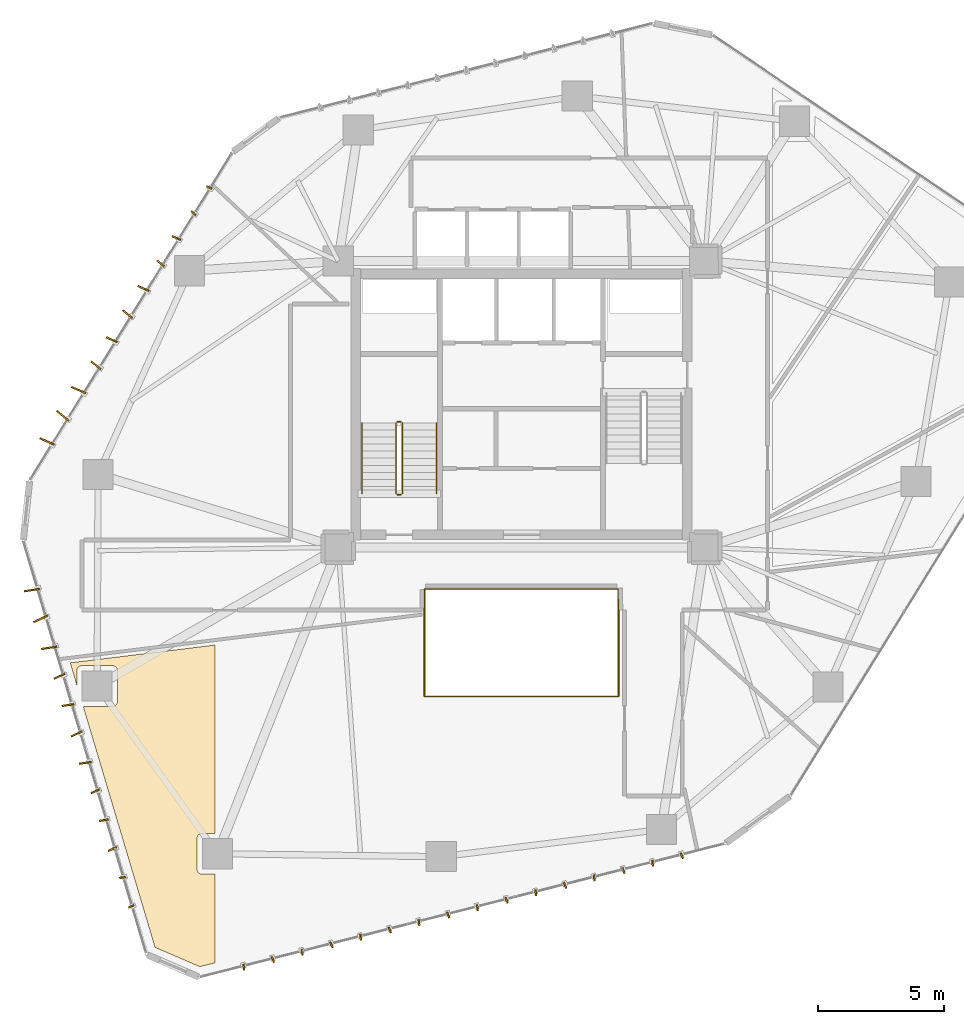
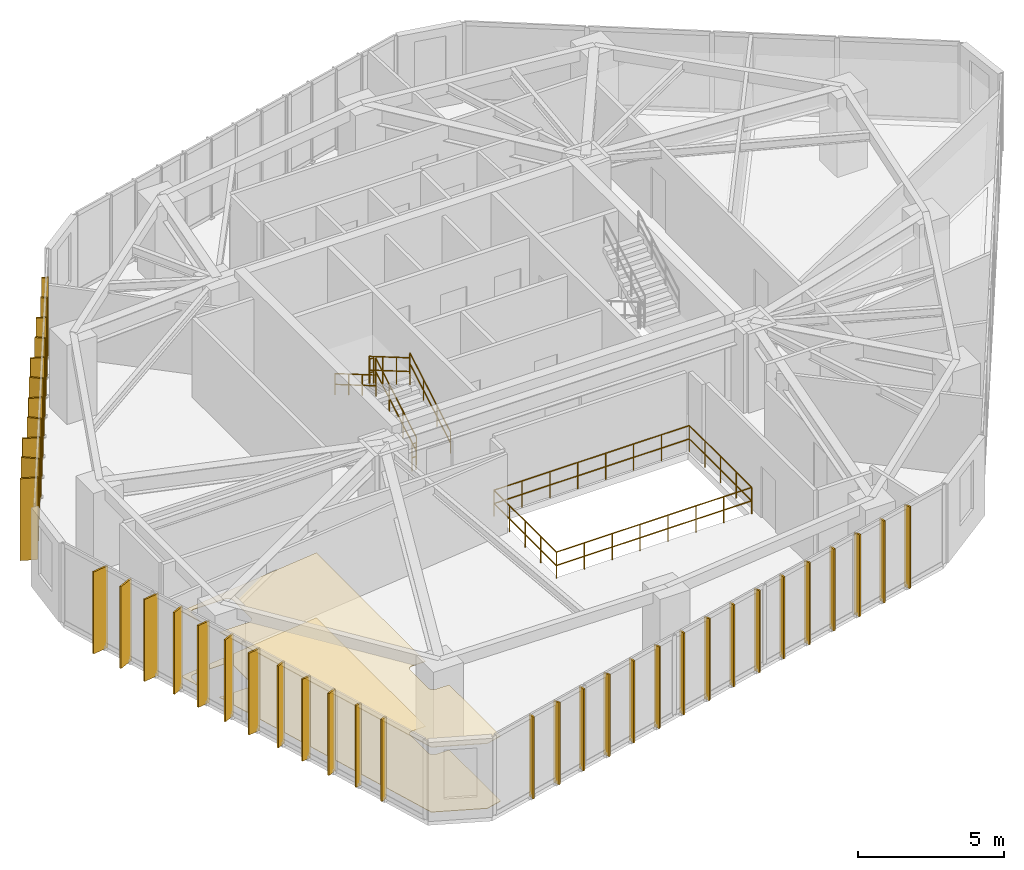
# One storey, part 19 of 20: 39 shading devices, 10 railings, 2 coverings.
"""IFC4 building model written with IfcOpenShell, lengths in metres."""

from ifc_helpers import new_model, si_unit, direction, frame, origin, origin_2d, place, context, subcontext, project, spatial, polyline, rectangle, circle, outline, extrude, source, transform, mapped, material, layer, layer_set, type_object, type_shapes, element, save


model = new_model("IFC4")

# Units and contexts
model_context = context("Model", 3, precision=1e-05, world=origin(), true_north=direction((0.0, 1.0)))
body_context = subcontext(model_context, "Body", "Model", "MODEL_VIEW")
ifc_project = project(units=[si_unit("LENGTHUNIT", "METRE"), si_unit("AREAUNIT", "SQUARE_METRE"), si_unit("VOLUMEUNIT", "CUBIC_METRE"), si_unit("PLANEANGLEUNIT", "RADIAN"), si_unit("MASSUNIT", "GRAM", prefix="KILO")], contexts=[model_context])

# Site, building, storey
site_placement = place(None, origin())
site = spatial("IfcSite", under=ifc_project, at=site_placement, CompositionType="ELEMENT")
building_placement = place(site_placement, origin())
building = spatial("IfcBuilding", under=site, at=building_placement, Name="Talar Marvaseh", CompositionType="ELEMENT")
storey_placement = place(building_placement, frame((0.0, 0.0, 132.60009765625)))
storey = spatial("IfcBuildingStorey", under=building, at=storey_placement, Name="L34", CompositionType="ELEMENT", Elevation=132.60009765625)

# Railings
ifc_material_1 = material(Name="Stainless Steel Grade 316", Category="steel")
railing_type_1 = type_object("IfcRailingType", Name="Brushed Stainless Wall Pitch Handrail 900", PredefinedType="HANDRAIL", material=ifc_material_1)
railing_1_placement = place(storey_placement, frame((22.610107421875, 27.64990234375, 0.16357421875)))
element("IfcRailing", 1, at=railing_1_placement, inside=storey, type_object=railing_type_1, Name="L34 ST-1 stair handrail 1", PredefinedType="HANDRAIL", context=body_context, shape_type="SweptSolid", body=[
    extrude(circle(Radius=0.02392578125, at=origin_2d()), frame((0.0, 0.0, 0.8759765625), z_axis=(0.0, 0.863393664356, 0.504530851732), x_axis=(-1.0, 0.0, 0.0)), (0.0, 0.0, 1.0), 3.2431640625),
    extrude(circle(Radius=0.02392578125, at=origin_2d()), frame((0.0, 0.0, 0.42578125), z_axis=(0.0, 0.863393664356, 0.504530851732), x_axis=(-1.0, 0.0, 0.0)), (0.0, 0.0, 1.0), 3.2431640625),
    extrude(circle(Radius=0.02099609375, at=origin_2d()), origin(), (0.0, 0.0, 1.0), 0.851806640625),
    extrude(circle(Radius=0.02099609375, at=origin_2d()), frame((0.0, 0.933349609375, 0.54541015625)), (0.0, 0.0, 1.0), 0.851806640625),
    extrude(circle(Radius=0.02099609375, at=origin_2d()), frame((0.0, 1.86669921875, 1.0908203125)), (0.0, 0.0, 1.0), 0.851806640625),
    extrude(circle(Radius=0.02099609375, at=origin_2d()), frame((0.0, 2.800048828125, 1.63623046875)), (0.0, 0.0, 1.0), 0.851806640625),
])
railing_2_placement = place(storey_placement, frame((19.64990234375, 30.449951171875, 1.963623046875)))
element("IfcRailing", 2, at=railing_2_placement, inside=storey, type_object=railing_type_1, Name="L34 ST-1 stair handrail 2", PredefinedType="HANDRAIL", context=body_context, shape_type="SweptSolid", body=[
    extrude(circle(Radius=0.02392578125, at=origin_2d()), frame((0.0, 0.0, 0.8759765625), z_axis=(0.0, -0.863393664356, 0.504530851732), x_axis=(1.0, 0.0, 0.0)), (0.0, 0.0, 1.0), 3.2431640625),
    extrude(circle(Radius=0.02392578125, at=origin_2d()), frame((0.0, 0.0, 0.42578125), z_axis=(0.0, -0.863393664356, 0.504530851732), x_axis=(1.0, 0.0, 0.0)), (0.0, 0.0, 1.0), 3.2431640625),
    extrude(circle(Radius=0.02099609375, at=origin_2d()), origin(), (0.0, 0.0, 1.0), 0.851806640625),
    extrude(circle(Radius=0.02099609375, at=origin_2d()), frame((0.0, -0.933349609375, 0.54541015625)), (0.0, 0.0, 1.0), 0.851806640625),
    extrude(circle(Radius=0.02099609375, at=origin_2d()), frame((0.0, -1.86669921875, 1.0908203125)), (0.0, 0.0, 1.0), 0.851806640625),
    extrude(circle(Radius=0.02099609375, at=origin_2d()), frame((0.0, -2.800048828125, 1.63623046875)), (0.0, 0.0, 1.0), 0.851806640625),
])
ifc_material_2 = material(Name="Tempered Clear Glass", Category="glass")
railing_type_2 = type_object("IfcRailingType", Name="Interior Atrium Edge Balustrade 1120", PredefinedType="BALUSTRADE", material=ifc_material_2)
railing_3_placement = place(storey_placement, frame((22.1298828125, 19.561279296875, 0.0)))
element("IfcRailing", 3, at=railing_3_placement, inside=storey, type_object=railing_type_2, Name="L34 Internal Daylight Atrium Balustrade 1", PredefinedType="BALUSTRADE", context=body_context, shape_type="SweptSolid", body=[
    extrude(circle(Radius=0.02392578125, at=origin_2d()), frame((0.0, 0.0, 1.09619140625), z_axis=(1.0, 0.0, 0.0), x_axis=(0.0, 1.0, 0.0)), (0.0, 0.0, 1.0), 7.740234375),
    extrude(circle(Radius=0.02392578125, at=origin_2d()), frame((0.0, 0.0, 0.5361328125), z_axis=(1.0, 0.0, 0.0), x_axis=(0.0, 1.0, 0.0)), (0.0, 0.0, 1.0), 7.740234375),
    extrude(circle(Radius=0.02099609375, at=origin_2d()), origin(), (0.0, 0.0, 1.0), 1.072021484375),
    extrude(circle(Radius=0.02099609375, at=origin_2d()), frame((1.105712890625, 0.0, 0.0)), (0.0, 0.0, 1.0), 1.072021484375),
    extrude(circle(Radius=0.02099609375, at=origin_2d()), frame((2.21142578125, 0.0, 0.0)), (0.0, 0.0, 1.0), 1.072021484375),
    extrude(circle(Radius=0.02099609375, at=origin_2d()), frame((3.317138671875, 0.0, 0.0)), (0.0, 0.0, 1.0), 1.072021484375),
    extrude(circle(Radius=0.02099609375, at=origin_2d()), frame((4.423095703125, 0.0, 0.0)), (0.0, 0.0, 1.0), 1.072021484375),
    extrude(circle(Radius=0.02099609375, at=origin_2d()), frame((5.52880859375, 0.0, 0.0)), (0.0, 0.0, 1.0), 1.072021484375),
    extrude(circle(Radius=0.02099609375, at=origin_2d()), frame((6.634521484375, 0.0, 0.0)), (0.0, 0.0, 1.0), 1.072021484375),
    extrude(circle(Radius=0.02099609375, at=origin_2d()), frame((7.740234375, 0.0, 0.0)), (0.0, 0.0, 1.0), 1.072021484375),
])
railing_4_placement = place(storey_placement, frame((29.8701171875, 19.561279296875, 0.0)))
element("IfcRailing", 4, at=railing_4_placement, inside=storey, type_object=railing_type_2, Name="L34 Internal Daylight Atrium Balustrade 2", PredefinedType="BALUSTRADE", context=body_context, shape_type="SweptSolid", body=[
    extrude(circle(Radius=0.02392578125, at=origin_2d()), frame((0.0, 0.0, 1.09619140625), z_axis=(0.0, 1.0, 0.0), x_axis=(-1.0, 0.0, 0.0)), (0.0, 0.0, 1.0), 4.27734375),
    extrude(circle(Radius=0.02392578125, at=origin_2d()), frame((0.0, 0.0, 0.5361328125), z_axis=(0.0, 1.0, 0.0), x_axis=(-1.0, 0.0, 0.0)), (0.0, 0.0, 1.0), 4.27734375),
    extrude(circle(Radius=0.02099609375, at=origin_2d()), origin(), (0.0, 0.0, 1.0), 1.072021484375),
    extrude(circle(Radius=0.02099609375, at=origin_2d()), frame((0.0, 1.0693359375, 0.0)), (0.0, 0.0, 1.0), 1.072021484375),
    extrude(circle(Radius=0.02099609375, at=origin_2d()), frame((0.0, 2.138671875, 0.0)), (0.0, 0.0, 1.0), 1.072021484375),
    extrude(circle(Radius=0.02099609375, at=origin_2d()), frame((0.0, 3.2080078125, 0.0)), (0.0, 0.0, 1.0), 1.072021484375),
    extrude(circle(Radius=0.02099609375, at=origin_2d()), frame((0.0, 4.27734375, 0.0)), (0.0, 0.0, 1.0), 1.072021484375),
])
railing_5_placement = place(storey_placement, frame((29.8701171875, 23.838623046875, 0.0)))
element("IfcRailing", 5, at=railing_5_placement, inside=storey, type_object=railing_type_2, Name="L34 Internal Daylight Atrium Balustrade 3", PredefinedType="BALUSTRADE", context=body_context, shape_type="SweptSolid", body=[
    extrude(circle(Radius=0.02392578125, at=origin_2d()), frame((0.0, 0.0, 1.09619140625), z_axis=(-1.0, 0.0, 0.0), x_axis=(0.0, -1.0, 0.0)), (0.0, 0.0, 1.0), 7.740234375),
    extrude(circle(Radius=0.02392578125, at=origin_2d()), frame((0.0, 0.0, 0.5361328125), z_axis=(-1.0, 0.0, 0.0), x_axis=(0.0, -1.0, 0.0)), (0.0, 0.0, 1.0), 7.740234375),
    extrude(circle(Radius=0.02099609375, at=origin_2d()), origin(), (0.0, 0.0, 1.0), 1.072021484375),
    extrude(circle(Radius=0.02099609375, at=origin_2d()), frame((-1.105712890625, 0.0, 0.0)), (0.0, 0.0, 1.0), 1.072021484375),
    extrude(circle(Radius=0.02099609375, at=origin_2d()), frame((-2.21142578125, 0.0, 0.0)), (0.0, 0.0, 1.0), 1.072021484375),
    extrude(circle(Radius=0.02099609375, at=origin_2d()), frame((-3.317138671875, 0.0, 0.0)), (0.0, 0.0, 1.0), 1.072021484375),
    extrude(circle(Radius=0.02099609375, at=origin_2d()), frame((-4.423095703125, 0.0, 0.0)), (0.0, 0.0, 1.0), 1.072021484375),
    extrude(circle(Radius=0.02099609375, at=origin_2d()), frame((-5.52880859375, 0.0, 0.0)), (0.0, 0.0, 1.0), 1.072021484375),
    extrude(circle(Radius=0.02099609375, at=origin_2d()), frame((-6.634521484375, 0.0, 0.0)), (0.0, 0.0, 1.0), 1.072021484375),
    extrude(circle(Radius=0.02099609375, at=origin_2d()), frame((-7.740234375, 0.0, 0.0)), (0.0, 0.0, 1.0), 1.072021484375),
])
railing_6_placement = place(storey_placement, frame((22.1298828125, 23.838623046875, 0.0)))
element("IfcRailing", 6, at=railing_6_placement, inside=storey, type_object=railing_type_2, Name="L34 Internal Daylight Atrium Balustrade 4", PredefinedType="BALUSTRADE", context=body_context, shape_type="SweptSolid", body=[
    extrude(circle(Radius=0.02392578125, at=origin_2d()), frame((0.0, 0.0, 1.09619140625), z_axis=(0.0, -1.0, 0.0), x_axis=(1.0, 0.0, 0.0)), (0.0, 0.0, 1.0), 4.27734375),
    extrude(circle(Radius=0.02392578125, at=origin_2d()), frame((0.0, 0.0, 0.5361328125), z_axis=(0.0, -1.0, 0.0), x_axis=(1.0, 0.0, 0.0)), (0.0, 0.0, 1.0), 4.27734375),
    extrude(circle(Radius=0.02099609375, at=origin_2d()), origin(), (0.0, 0.0, 1.0), 1.072021484375),
    extrude(circle(Radius=0.02099609375, at=origin_2d()), frame((0.0, -1.0693359375, 0.0)), (0.0, 0.0, 1.0), 1.072021484375),
    extrude(circle(Radius=0.02099609375, at=origin_2d()), frame((0.0, -2.138671875, 0.0)), (0.0, 0.0, 1.0), 1.072021484375),
    extrude(circle(Radius=0.02099609375, at=origin_2d()), frame((0.0, -3.2080078125, 0.0)), (0.0, 0.0, 1.0), 1.072021484375),
    extrude(circle(Radius=0.02099609375, at=origin_2d()), frame((0.0, -4.27734375, 0.0)), (0.0, 0.0, 1.0), 1.072021484375),
])
railing_type_3 = type_object("IfcRailingType", Name="Painted Steel Core Stair Well Guardrail 1150", PredefinedType="GUARDRAIL", material=ifc_material_1)
railing_7_placement = place(storey_placement, frame((21.260009765625, 27.64990234375, 0.16357421875)))
element("IfcRailing", 7, at=railing_7_placement, inside=storey, type_object=railing_type_3, Name="L34 ST-1 stair guard 1", PredefinedType="GUARDRAIL", context=body_context, shape_type="SweptSolid", body=[
    extrude(circle(Radius=0.02392578125, at=origin_2d()), frame((0.0, 0.0, 1.1259765625), z_axis=(0.0, 0.863393664356, 0.504530851732), x_axis=(-1.0, 0.0, 0.0)), (0.0, 0.0, 1.0), 3.2431640625),
    extrude(circle(Radius=0.02392578125, at=origin_2d()), frame((0.0, 0.0, 0.55078125), z_axis=(0.0, 0.863393664356, 0.504530851732), x_axis=(-1.0, 0.0, 0.0)), (0.0, 0.0, 1.0), 3.2431640625),
    extrude(circle(Radius=0.02099609375, at=origin_2d()), origin(), (0.0, 0.0, 1.0), 1.101806640625),
    extrude(circle(Radius=0.02099609375, at=origin_2d()), frame((0.0, 0.933349609375, 0.54541015625)), (0.0, 0.0, 1.0), 1.101806640625),
    extrude(circle(Radius=0.02099609375, at=origin_2d()), frame((0.0, 1.86669921875, 1.0908203125)), (0.0, 0.0, 1.0), 1.101806640625),
    extrude(circle(Radius=0.02099609375, at=origin_2d()), frame((0.0, 2.800048828125, 1.63623046875)), (0.0, 0.0, 1.0), 1.101806640625),
])
railing_8_placement = place(storey_placement, frame((21.2099609375, 30.5, 1.7998046875)))
element("IfcRailing", 8, at=railing_8_placement, inside=storey, type_object=railing_type_3, Name="L34 ST-1 stair guard 2", PredefinedType="GUARDRAIL", context=body_context, shape_type="SweptSolid", body=[
    extrude(circle(Radius=0.02392578125, at=origin_2d()), frame((0.0, 0.0, 1.1259765625), z_axis=(-1.0, 0.0, 0.0), x_axis=(0.0, -1.0, 0.0)), (0.0, 0.0, 1.0), 0.159912109375),
    extrude(circle(Radius=0.02392578125, at=origin_2d()), frame((0.0, 0.0, 0.55078125), z_axis=(-1.0, 0.0, 0.0), x_axis=(0.0, -1.0, 0.0)), (0.0, 0.0, 1.0), 0.159912109375),
    extrude(circle(Radius=0.02099609375, at=origin_2d()), origin(), (0.0, 0.0, 1.0), 1.101806640625),
    extrude(circle(Radius=0.02099609375, at=origin_2d()), frame((-0.159912109375, 0.0, 0.0)), (0.0, 0.0, 1.0), 1.101806640625),
])
railing_9_placement = place(storey_placement, frame((21.0, 30.449951171875, 1.963623046875)))
element("IfcRailing", 9, at=railing_9_placement, inside=storey, type_object=railing_type_3, Name="L34 ST-1 stair guard 3", PredefinedType="GUARDRAIL", context=body_context, shape_type="SweptSolid", body=[
    extrude(circle(Radius=0.02392578125, at=origin_2d()), frame((0.0, 0.0, 1.1259765625), z_axis=(0.0, -0.863393664356, 0.504530851732), x_axis=(1.0, 0.0, 0.0)), (0.0, 0.0, 1.0), 3.2431640625),
    extrude(circle(Radius=0.02392578125, at=origin_2d()), frame((0.0, 0.0, 0.55078125), z_axis=(0.0, -0.863393664356, 0.504530851732), x_axis=(1.0, 0.0, 0.0)), (0.0, 0.0, 1.0), 3.2431640625),
    extrude(circle(Radius=0.02099609375, at=origin_2d()), origin(), (0.0, 0.0, 1.0), 1.101806640625),
    extrude(circle(Radius=0.02099609375, at=origin_2d()), frame((0.0, -0.933349609375, 0.54541015625)), (0.0, 0.0, 1.0), 1.101806640625),
    extrude(circle(Radius=0.02099609375, at=origin_2d()), frame((0.0, -1.86669921875, 1.0908203125)), (0.0, 0.0, 1.0), 1.101806640625),
    extrude(circle(Radius=0.02099609375, at=origin_2d()), frame((0.0, -2.800048828125, 1.63623046875)), (0.0, 0.0, 1.0), 1.101806640625),
])
railing_10_placement = place(storey_placement, frame((21.2099609375, 27.60009765625, 0.0)))
element("IfcRailing", 10, at=railing_10_placement, inside=storey, type_object=railing_type_3, Name="L34 ST-1 stair guard 4", PredefinedType="GUARDRAIL", context=body_context, shape_type="SweptSolid", body=[
    extrude(circle(Radius=0.02392578125, at=origin_2d()), frame((0.0, 0.0, 1.1259765625), z_axis=(-1.0, 0.0, 0.0), x_axis=(0.0, -1.0, 0.0)), (0.0, 0.0, 1.0), 0.159912109375),
    extrude(circle(Radius=0.02392578125, at=origin_2d()), frame((0.0, 0.0, 0.55078125), z_axis=(-1.0, 0.0, 0.0), x_axis=(0.0, -1.0, 0.0)), (0.0, 0.0, 1.0), 0.159912109375),
    extrude(circle(Radius=0.02099609375, at=origin_2d()), origin(), (0.0, 0.0, 1.0), 1.101806640625),
    extrude(circle(Radius=0.02099609375, at=origin_2d()), frame((-0.159912109375, 0.0, 0.0)), (0.0, 0.0, 1.0), 1.101806640625),
])

# Coverings
ifc_material_3 = material(Name="Mineral Fibre Acoustic Ceiling")
ifc_layer_1 = layer(ifc_material_3, 0.02490234375)
ifc_layer_set_1 = layer_set([ifc_layer_1], Name="Mineral Fibre Acoustic Ceiling")
covering_type_1 = type_object("IfcCoveringType", Name="Perforated Mineral Fibre Acoustic Suspended Ceiling", PredefinedType="CEILING", material=ifc_layer_set_1)
covering_1_placement = place(storey_placement, frame((0.0, 0.0, 2.719970703125)))
element("IfcCovering", 11, at=covering_1_placement, inside=storey, type_object=covering_type_1, Name="L34 Curatorial Office Acoustic Ceiling", PredefinedType="CEILING", context=body_context, shape_type="SweptSolid", body=[
    extrude(outline(polyline([(13.800048828125, 14.111572265625), (13.27978515625, 14.109619140625), (13.260009765625, 14.108642578125), (13.24072265625, 14.105712890625), (13.2216796875, 14.100830078125), (13.203369140625, 14.09423828125), (13.185791015625, 14.085693359375), (13.1689453125, 14.07568359375), (13.1533203125, 14.06396484375), (13.138671875, 14.05078125), (13.12548828125, 14.0361328125), (13.114013671875, 14.0205078125), (13.10400390625, 14.003662109375), (13.095703125, 13.986083984375), (13.089111328125, 13.967529296875), (13.084228515625, 13.948486328125), (13.081298828125, 13.92919921875), (13.080322265625, 13.90966796875), (13.080322265625, 12.6884765625), (13.081298828125, 12.668701171875), (13.084228515625, 12.6494140625), (13.089111328125, 12.63037109375), (13.095703125, 12.61181640625), (13.10400390625, 12.593994140625), (13.114013671875, 12.577392578125), (13.125732421875, 12.5615234375), (13.138916015625, 12.547119140625), (13.153564453125, 12.53369140625), (13.169189453125, 12.522216796875), (13.18603515625, 12.511962890625), (13.203857421875, 12.503662109375), (13.222412109375, 12.4970703125), (13.241455078125, 12.4921875), (13.2607421875, 12.489501953125), (13.280517578125, 12.48828125), (13.800048828125, 12.48828125), (13.800048828125, 8.957275390625), (13.18896484375, 8.802001953125), (11.405517578125, 9.57080078125), (8.545654296875, 19.16650390625), (9.711669921875, 19.16650390625), (9.731201171875, 19.16748046875), (9.75048828125, 19.170166015625), (9.76953125, 19.175048828125), (9.7880859375, 19.181640625), (9.8056640625, 19.18994140625), (9.822509765625, 19.199951171875), (9.838134765625, 19.211669921875), (9.852783203125, 19.224609375), (9.865966796875, 19.2392578125), (9.877685546875, 19.2548828125), (9.8876953125, 19.271728515625), (9.896240234375, 19.289306640625), (9.90283203125, 19.307861328125), (9.90771484375, 19.326904296875), (9.91064453125, 19.34619140625), (9.91162109375, 19.36572265625), (9.916015625, 20.577880859375), (9.9150390625, 20.596435546875), (9.91259765625, 20.61474609375), (9.908203125, 20.633056640625), (9.90234375, 20.650634765625), (9.89501953125, 20.667724609375), (9.885986328125, 20.683837890625), (9.875244140625, 20.69921875), (9.86328125, 20.713623046875), (9.85009765625, 20.726806640625), (9.835205078125, 20.740234375), (9.821044921875, 20.751953125), (9.8056640625, 20.762451171875), (9.78955078125, 20.771240234375), (9.772705078125, 20.77880859375), (9.755126953125, 20.78466796875), (9.737060546875, 20.788818359375), (9.71875, 20.791259765625), (9.7001953125, 20.7919921875), (8.48974609375, 20.78759765625), (8.47021484375, 20.78662109375), (8.45068359375, 20.78369140625), (8.431884765625, 20.77880859375), (8.413330078125, 20.772216796875), (8.395751953125, 20.763671875), (8.37890625, 20.753662109375), (8.36328125, 20.741943359375), (8.3486328125, 20.728759765625), (8.335693359375, 20.714111328125), (8.323974609375, 20.698486328125), (8.31396484375, 20.681640625), (8.3056640625, 20.6640625), (8.299072265625, 20.6455078125), (8.294189453125, 20.62646484375), (8.29150390625, 20.607177734375), (8.290283203125, 20.587646484375), (8.290283203125, 20.02294921875), (8.0283203125, 20.90234375), (13.800048828125, 21.611083984375), (13.800048828125, 14.111572265625)])), origin(), (0.0, 0.0, 1.0), 0.02490234375),
])
ifc_material_4 = material(Name="Porcelain Stoneware Tile", Category="masonry")
ifc_layer_2 = layer(ifc_material_4, 0.02001953125)
ifc_layer_set_2 = layer_set([ifc_layer_2], Name="Porcelain Stoneware Tile")
covering_type_2 = type_object("IfcCoveringType", Name="Polished Porcelain Stoneware Gallery Flooring", PredefinedType="FLOORING", material=ifc_layer_set_2)
covering_2_placement = place(storey_placement, origin())
element("IfcCovering", 12, at=covering_2_placement, inside=storey, type_object=covering_type_2, Name="L34 Curatorial Office Flooring", PredefinedType="FLOORING", context=body_context, shape_type="SweptSolid", body=[
    extrude(outline(polyline([(13.800048828125, 14.111572265625), (13.27978515625, 14.109619140625), (13.260009765625, 14.108642578125), (13.24072265625, 14.105712890625), (13.2216796875, 14.100830078125), (13.203369140625, 14.09423828125), (13.185791015625, 14.085693359375), (13.1689453125, 14.07568359375), (13.1533203125, 14.06396484375), (13.138671875, 14.05078125), (13.12548828125, 14.0361328125), (13.114013671875, 14.0205078125), (13.10400390625, 14.003662109375), (13.095703125, 13.986083984375), (13.089111328125, 13.967529296875), (13.084228515625, 13.948486328125), (13.081298828125, 13.92919921875), (13.080322265625, 13.90966796875), (13.080322265625, 12.6884765625), (13.081298828125, 12.668701171875), (13.084228515625, 12.6494140625), (13.089111328125, 12.63037109375), (13.095703125, 12.61181640625), (13.10400390625, 12.593994140625), (13.114013671875, 12.577392578125), (13.125732421875, 12.5615234375), (13.138916015625, 12.547119140625), (13.153564453125, 12.53369140625), (13.169189453125, 12.522216796875), (13.18603515625, 12.511962890625), (13.203857421875, 12.503662109375), (13.222412109375, 12.4970703125), (13.241455078125, 12.4921875), (13.2607421875, 12.489501953125), (13.280517578125, 12.48828125), (13.800048828125, 12.48828125), (13.800048828125, 8.957275390625), (13.18896484375, 8.802001953125), (11.405517578125, 9.57080078125), (8.545654296875, 19.16650390625), (9.711669921875, 19.16650390625), (9.731201171875, 19.16748046875), (9.75048828125, 19.170166015625), (9.76953125, 19.175048828125), (9.7880859375, 19.181640625), (9.8056640625, 19.18994140625), (9.822509765625, 19.199951171875), (9.838134765625, 19.211669921875), (9.852783203125, 19.224609375), (9.865966796875, 19.2392578125), (9.877685546875, 19.2548828125), (9.8876953125, 19.271728515625), (9.896240234375, 19.289306640625), (9.90283203125, 19.307861328125), (9.90771484375, 19.326904296875), (9.91064453125, 19.34619140625), (9.91162109375, 19.36572265625), (9.916015625, 20.577880859375), (9.9150390625, 20.596435546875), (9.91259765625, 20.61474609375), (9.908203125, 20.633056640625), (9.90234375, 20.650634765625), (9.89501953125, 20.667724609375), (9.885986328125, 20.683837890625), (9.875244140625, 20.69921875), (9.86328125, 20.713623046875), (9.85009765625, 20.726806640625), (9.835205078125, 20.740234375), (9.821044921875, 20.751953125), (9.8056640625, 20.762451171875), (9.78955078125, 20.771240234375), (9.772705078125, 20.77880859375), (9.755126953125, 20.78466796875), (9.737060546875, 20.788818359375), (9.71875, 20.791259765625), (9.7001953125, 20.7919921875), (8.48974609375, 20.78759765625), (8.47021484375, 20.78662109375), (8.45068359375, 20.78369140625), (8.431884765625, 20.77880859375), (8.413330078125, 20.772216796875), (8.395751953125, 20.763671875), (8.37890625, 20.753662109375), (8.36328125, 20.741943359375), (8.3486328125, 20.728759765625), (8.335693359375, 20.714111328125), (8.323974609375, 20.698486328125), (8.31396484375, 20.681640625), (8.3056640625, 20.6640625), (8.299072265625, 20.6455078125), (8.294189453125, 20.62646484375), (8.29150390625, 20.607177734375), (8.290283203125, 20.587646484375), (8.290283203125, 20.02294921875), (8.0283203125, 20.90234375), (13.800048828125, 21.611083984375), (13.800048828125, 14.111572265625)])), origin(), (0.0, 0.0, 1.0), 0.02001953125),
])

# Shading devices
ifc_material_5 = material(Name="Anodised Champagne Bronze Aluminium", Category="aluminium")
ifc_layer_3 = layer(ifc_material_5, 0.06494140625)
ifc_layer_set_3 = layer_set([ifc_layer_3], Name="Anodised Champagne Bronze Aluminium")
shading_device_type_1 = type_object("IfcShadingDeviceType", Name="Sawtooth Champagne Bronze Vertical Fin 240", PredefinedType="USERDEFINED", material=ifc_layer_set_3)
shared_shape_1 = source(origin(), body_context, "Body", "SweptSolid", [
    extrude(rectangle(XDim=0.239990234375, YDim=0.06494140625, at=origin_2d()), origin(), (0.0, 0.0, 1.0), 3.429931640625),
])
type_shapes(shading_device_type_1, [shared_shape_1])
for number, where, z_axis, x_axis, name in (
    (13, (10.454345703125, 11.2041015625, -0.1201171875), (0.0, 0.0, 1.0), (-0.909236109047, -0.41628079226, 0.0), "L34 Sawtooth Vertical Solar Fin"),
    (14, (10.11181640625, 12.354248046875, -0.1201171875), (0.0, 0.0, 1.0), (-0.988756381047, -0.149535343444, 0.0), "L34 Sawtooth Vertical Solar Fin"),
    (15, (12.9375, 38.8125, -0.1201171875), (0.0, 0.0, 1.0), (-0.769622480199, 0.638499207495, 0.0), "L34 Sawtooth Vertical Solar Fin"),
    (16, (13.56787109375, 39.833740234375, -0.1201171875), (0.0, 0.0, 1.0), (-0.915802843794, 0.401628125633, 0.0), "L34 Sawtooth Vertical Solar Fin"),
    (17, (32.385009765625, 13.22119140625, -0.1201171875), (0.0, 0.0, 1.0), (0.378810148876, -0.92547440327, 0.0), "L34 Sawtooth Vertical Solar Fin"),
    (18, (31.221923828125, 12.925537109375, -0.1201171875), (0.0, 0.0, 1.0), (0.109040368753, -0.994037322228, 0.0), "L34 Sawtooth Vertical Solar Fin"),
    (19, (30.058837890625, 12.6298828125, -0.1201171875), (0.0, 0.0, 1.0), (0.378810148876, -0.92547440327, 0.0), "L34 Sawtooth Vertical Solar Fin"),
    (20, (28.89599609375, 12.33447265625, -0.1201171875), (0.0, 0.0, 1.0), (0.109040368753, -0.994037322228, 0.0), "L34 Sawtooth Vertical Solar Fin"),
    (21, (27.73291015625, 12.038818359375, -0.1201171875), (0.0, 0.0, 1.0), (0.378810148876, -0.92547440327, 0.0), "L34 Sawtooth Vertical Solar Fin"),
    (22, (26.56982421875, 11.743408203125, -0.1201171875), (0.0, 0.0, 1.0), (0.109040368753, -0.994037322228, 0.0), "L34 Sawtooth Vertical Solar Fin"),
    (23, (25.40673828125, 11.44775390625, -0.1201171875), (0.0, 0.0, 1.0), (0.378810148876, -0.92547440327, 0.0), "L34 Sawtooth Vertical Solar Fin"),
    (24, (24.24365234375, 11.152099609375, -0.1201171875), (0.0, 0.0, 1.0), (0.109040368753, -0.994037322228, 0.0), "L34 Sawtooth Vertical Solar Fin"),
    (25, (23.080810546875, 10.856689453125, -0.1201171875), (0.0, 0.0, 1.0), (0.378810148876, -0.92547440327, 0.0), "L34 Sawtooth Vertical Solar Fin"),
    (26, (21.917724609375, 10.56103515625, -0.1201171875), (0.0, 0.0, 1.0), (0.109040368753, -0.994037322228, 0.0), "L34 Sawtooth Vertical Solar Fin"),
    (27, (20.754638671875, 10.265380859375, -0.1201171875), (0.0, 0.0, 1.0), (0.378810148876, -0.92547440327, 0.0), "L34 Sawtooth Vertical Solar Fin"),
    (28, (19.591552734375, 9.969970703125, -0.1201171875), (0.0, 0.0, 1.0), (0.109040368753, -0.994037322228, 0.0), "L34 Sawtooth Vertical Solar Fin"),
    (29, (18.4287109375, 9.67431640625, -0.1201171875), (0.0, 0.0, 1.0), (0.378810148876, -0.92547440327, 0.0), "L34 Sawtooth Vertical Solar Fin"),
    (30, (17.265380859375, 9.37890625, -0.1201171875), (0.0, 0.0, 1.0), (0.109040368753, -0.994037322228, 0.0), "L34 Sawtooth Vertical Solar Fin"),
    (31, (16.1025390625, 9.083251953125, -0.1201171875), (0.0, 0.0, 1.0), (0.378810148876, -0.92547440327, 0.0), "L34 Sawtooth Vertical Solar Fin"),
    (32, (14.939453125, 8.78759765625, -0.1201171875), (0.0, 0.0, 1.0), (0.109040368753, -0.994037322228, 0.0), "L34 Sawtooth Vertical Solar Fin"),
):
    element("IfcShadingDevice", number, at=place(storey_placement, frame(where, z_axis=z_axis, x_axis=x_axis)), inside=storey, type_object=shading_device_type_1, Name=name, ObjectType="FIN", PredefinedType="USERDEFINED", context=body_context, shape_type="MappedRepresentation", body=[
        mapped(shared_shape_1, transform((0.0, 0.0, 0.0), x_axis=(1.0, 0.0, 0.0), y_axis=(0.0, 1.0, 0.0), z_axis=(0.0, 0.0, 1.0), scale=1.0)),
    ])
ifc_layer_4 = layer(ifc_material_5, 0.06494140625)
ifc_layer_set_4 = layer_set([ifc_layer_4], Name="Anodised Champagne Bronze Aluminium")
shading_device_type_2 = type_object("IfcShadingDeviceType", Name="Sawtooth Champagne Bronze Vertical Fin 360", PredefinedType="USERDEFINED", material=ifc_layer_set_4)
shared_shape_2 = source(origin(), body_context, "Body", "SweptSolid", [
    extrude(rectangle(XDim=0.360107421875, YDim=0.06494140625, at=origin_2d()), origin(), (0.0, 0.0, 1.0), 3.429931640625),
])
type_shapes(shading_device_type_2, [shared_shape_2])
for number, where, z_axis, x_axis, name in (
    (33, (9.71142578125, 13.487060546875, -0.1201171875), (0.0, 0.0, 1.0), (-0.909236109047, -0.41628079226, 0.0), "L34 Sawtooth Vertical Solar Fin"),
    (34, (9.36865234375, 14.636962890625, -0.1201171875), (0.0, 0.0, 1.0), (-0.988756381047, -0.149535343444, 0.0), "L34 Sawtooth Vertical Solar Fin"),
    (35, (9.02587890625, 15.787109375, -0.1201171875), (0.0, 0.0, 1.0), (-0.909236109047, -0.41628079226, 0.0), "L34 Sawtooth Vertical Solar Fin"),
    (36, (11.6259765625, 36.8017578125, -0.1201171875), (0.0, 0.0, 1.0), (-0.769622480199, 0.638499207495, 0.0), "L34 Sawtooth Vertical Solar Fin"),
    (37, (12.256103515625, 37.822998046875, -0.1201171875), (0.0, 0.0, 1.0), (-0.915802843794, 0.401628125633, 0.0), "L34 Sawtooth Vertical Solar Fin"),
):
    element("IfcShadingDevice", number, at=place(storey_placement, frame(where, z_axis=z_axis, x_axis=x_axis)), inside=storey, type_object=shading_device_type_2, Name=name, ObjectType="FIN", PredefinedType="USERDEFINED", context=body_context, shape_type="MappedRepresentation", body=[
        mapped(shared_shape_2, transform((0.0, 0.0, 0.0), x_axis=(1.0, 0.0, 0.0), y_axis=(0.0, 1.0, 0.0), z_axis=(0.0, 0.0, 1.0), scale=1.0)),
    ])
ifc_layer_5 = layer(ifc_material_5, 0.06494140625)
ifc_layer_set_5 = layer_set([ifc_layer_5], Name="Anodised Champagne Bronze Aluminium")
shading_device_type_3 = type_object("IfcShadingDeviceType", Name="Sawtooth Champagne Bronze Vertical Fin 480", PredefinedType="USERDEFINED", material=ifc_layer_set_5)
shared_shape_3 = source(origin(), body_context, "Body", "SweptSolid", [
    extrude(rectangle(XDim=0.47998046875, YDim=0.06494140625, at=origin_2d()), origin(), (0.0, 0.0, 1.0), 3.429931640625),
])
type_shapes(shading_device_type_3, [shared_shape_3])
for number, where, z_axis, x_axis, name in (
    (38, (8.625732421875, 16.919921875, -0.1201171875), (0.0, 0.0, 1.0), (-0.988756381047, -0.149535343444, 0.0), "L34 Sawtooth Vertical Solar Fin"),
    (39, (8.282958984375, 18.06982421875, -0.1201171875), (0.0, 0.0, 1.0), (-0.909236109047, -0.41628079226, 0.0), "L34 Sawtooth Vertical Solar Fin"),
    (40, (7.940185546875, 19.219970703125, -0.1201171875), (0.0, 0.0, 1.0), (-0.988756381047, -0.149535343444, 0.0), "L34 Sawtooth Vertical Solar Fin"),
    (41, (7.597412109375, 20.3701171875, -0.1201171875), (0.0, 0.0, 1.0), (-0.909236109047, -0.41628079226, 0.0), "L34 Sawtooth Vertical Solar Fin"),
    (42, (9.053955078125, 32.74853515625, -0.1201171875), (0.0, 0.0, 1.0), (-0.769622480199, 0.638499207495, 0.0), "L34 Sawtooth Vertical Solar Fin"),
    (43, (9.68408203125, 33.769775390625, -0.1201171875), (0.0, 0.0, 1.0), (-0.915802843794, 0.401628125633, 0.0), "L34 Sawtooth Vertical Solar Fin"),
    (44, (10.314453125, 34.791015625, -0.1201171875), (0.0, 0.0, 1.0), (-0.769622480199, 0.638499207495, 0.0), "L34 Sawtooth Vertical Solar Fin"),
    (45, (10.944580078125, 35.81201171875, -0.1201171875), (0.0, 0.0, 1.0), (-0.915802843794, 0.401628125633, 0.0), "L34 Sawtooth Vertical Solar Fin"),
):
    element("IfcShadingDevice", number, at=place(storey_placement, frame(where, z_axis=z_axis, x_axis=x_axis)), inside=storey, type_object=shading_device_type_3, Name=name, ObjectType="FIN", PredefinedType="USERDEFINED", context=body_context, shape_type="MappedRepresentation", body=[
        mapped(shared_shape_3, transform((0.0, 0.0, 0.0), x_axis=(1.0, 0.0, 0.0), y_axis=(0.0, 1.0, 0.0), z_axis=(0.0, 0.0, 1.0), scale=1.0)),
    ])
ifc_layer_6 = layer(ifc_material_5, 0.06494140625)
ifc_layer_set_6 = layer_set([ifc_layer_6], Name="Anodised Champagne Bronze Aluminium")
shading_device_type_4 = type_object("IfcShadingDeviceType", Name="Sawtooth Champagne Bronze Vertical Fin 620", PredefinedType="USERDEFINED", material=ifc_layer_set_6)
shared_shape_4 = source(origin(), body_context, "Body", "SweptSolid", [
    extrude(rectangle(XDim=0.6201171875, YDim=0.06494140625, at=origin_2d()), origin(), (0.0, 0.0, 1.0), 3.429931640625),
])
type_shapes(shading_device_type_4, [shared_shape_4])
for number, where, z_axis, x_axis, name in (
    (46, (7.1875, 21.5, -0.1201171875), (0.0, 0.0, 1.0), (-0.988756381047, -0.149535343444, 0.0), "L34 Sawtooth Vertical Solar Fin"),
    (47, (6.8447265625, 22.64990234375, -0.1201171875), (0.0, 0.0, 1.0), (-0.909236109047, -0.41628079226, 0.0), "L34 Sawtooth Vertical Solar Fin"),
    (48, (6.501953125, 23.800048828125, -0.1201171875), (0.0, 0.0, 1.0), (-0.988756381047, -0.149535343444, 0.0), "L34 Sawtooth Vertical Solar Fin"),
    (49, (7.103515625, 29.7216796875, -0.1201171875), (0.0, 0.0, 1.0), (-0.915802843794, 0.401628125633, 0.0), "L34 Sawtooth Vertical Solar Fin"),
    (50, (7.73388671875, 30.742919921875, -0.1201171875), (0.0, 0.0, 1.0), (-0.769622480199, 0.638499207495, 0.0), "L34 Sawtooth Vertical Solar Fin"),
    (51, (8.364013671875, 31.76416015625, -0.1201171875), (0.0, 0.0, 1.0), (-0.915802843794, 0.401628125633, 0.0), "L34 Sawtooth Vertical Solar Fin"),
):
    element("IfcShadingDevice", number, at=place(storey_placement, frame(where, z_axis=z_axis, x_axis=x_axis)), inside=storey, type_object=shading_device_type_4, Name=name, ObjectType="FIN", PredefinedType="USERDEFINED", context=body_context, shape_type="MappedRepresentation", body=[
        mapped(shared_shape_4, transform((0.0, 0.0, 0.0), x_axis=(1.0, 0.0, 0.0), y_axis=(0.0, 1.0, 0.0), z_axis=(0.0, 0.0, 1.0), scale=1.0)),
    ])

save(model, "model.ifc")
